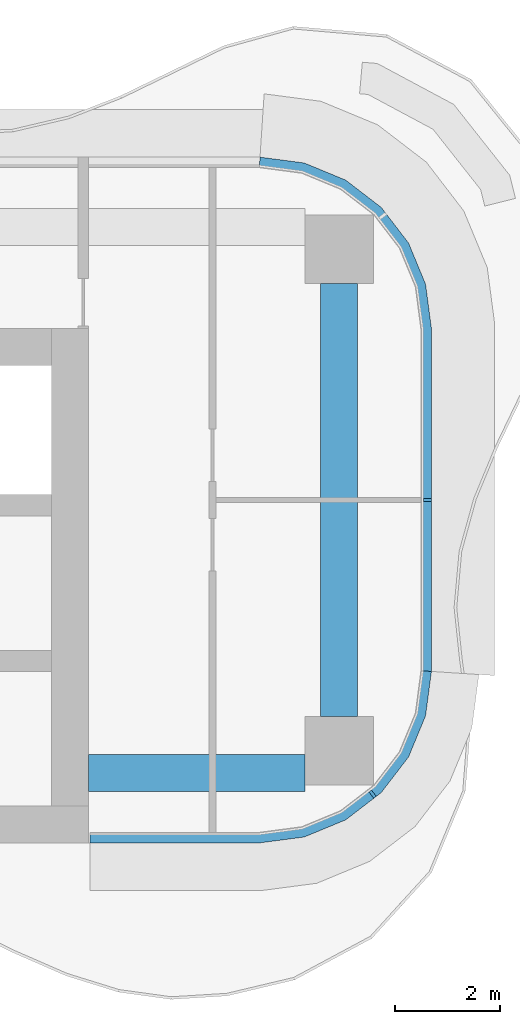
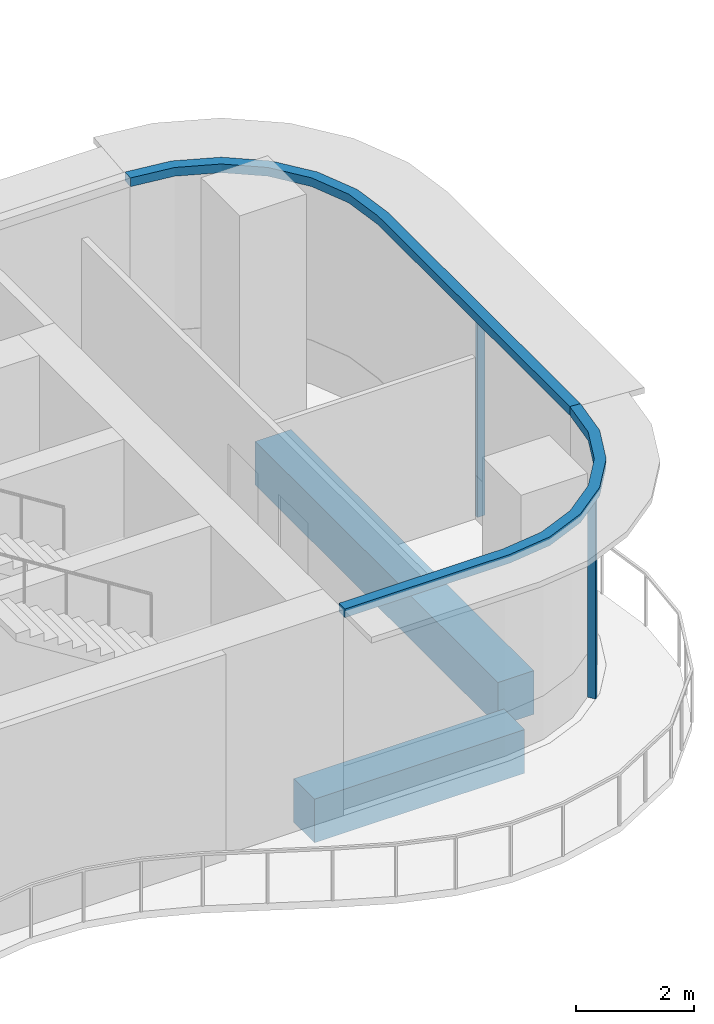
# One storey, part 7 of 21: 4 members, 2 beams, 2 elements without a shape of their own.
"""IFC4 building model written with IfcOpenShell, lengths in metres."""

from ifc_helpers import new_model, si_unit, direction, frame, origin, origin_2d, place, context, subcontext, project, spatial, polyline, rectangle, outline, extrude, source, transform, mapped, material, layer, layer_set, material_profile, profile_set, type_object, element, aggregate, save


model = new_model("IFC4")

# Units and contexts
model_context = context("Model", 3, precision=1e-05, world=origin(), true_north=direction((0.0, 1.0)))
body_context = subcontext(model_context, "Body", "Model", "MODEL_VIEW")
ifc_project = project(units=[si_unit("LENGTHUNIT", "METRE"), si_unit("AREAUNIT", "SQUARE_METRE"), si_unit("VOLUMEUNIT", "CUBIC_METRE"), si_unit("PLANEANGLEUNIT", "RADIAN"), si_unit("MASSUNIT", "GRAM", prefix="KILO")], contexts=[model_context])

# Site, building, storey
site_placement = place(None, origin())
site = spatial("IfcSite", under=ifc_project, at=site_placement, CompositionType="ELEMENT")
building_placement = place(site_placement, origin())
building = spatial("IfcBuilding", under=site, at=building_placement, Name="Trellis Farm Tower", CompositionType="ELEMENT")
storey_placement = place(building_placement, frame((0.0, 0.0, 102.0)))
storey = spatial("IfcBuildingStorey", under=building, at=storey_placement, Name="L21", CompositionType="ELEMENT", Elevation=102.0)

# Beams
ifc_material_1 = material(Name="Concrete C60/75", Category="concrete")
ifc_material_profile_1 = material_profile(ifc_material_1, rectangle(XDim=0.699951171875, YDim=0.89990234375, at=origin_2d()), Name="RC spandrel beam 700x900 C60/75")
ifc_profile_set_1 = profile_set([ifc_material_profile_1], Name="Concrete C60/75")
beam_type = type_object("IfcBeamType", Name="RC spandrel beam 700x900 C60/75", PredefinedType="SPANDREL", material=ifc_profile_set_1)
shared_shape_1 = source(origin(), body_context, "Body", "SweptSolid", [
    extrude(rectangle(XDim=0.699951171875, YDim=0.89990234375, at=origin_2d()), origin(), (0.0, 0.0, 1.0), 8.2001953125),
])
beam_1_placement = place(storey_placement, frame((27.5, -4.10009765625, -0.699951171875), z_axis=(0.0, 1.0, 0.0), x_axis=(-1.0, 0.0, 0.0)))
element("IfcBeam", 1, at=beam_1_placement, inside=storey, type_object=beam_type, Name="Girder", PredefinedType="SPANDREL", context=body_context, shape_type="MappedRepresentation", body=[
    mapped(shared_shape_1, transform((0.0, 0.0, 0.0))),
])
shared_shape_2 = source(origin(), body_context, "Body", "SweptSolid", [
    extrude(rectangle(XDim=0.699951171875, YDim=0.89990234375, at=origin_2d()), origin(), (0.0, 0.0, 1.0), 4.10009765625),
])
beam_2_placement = place(storey_placement, frame((22.75, -5.175048828125, -0.699951171875), z_axis=(1.0, 0.0, 0.0), x_axis=(0.0, 1.0, 0.0)))
element("IfcBeam", 2, at=beam_2_placement, inside=storey, type_object=beam_type, Name="Girder", PredefinedType="SPANDREL", context=body_context, shape_type="MappedRepresentation", body=[
    mapped(shared_shape_2, transform((0.0, 0.0, 0.0))),
])

# Curtain wall, member
ifc_material_2 = material(Name="Aluminium and glass curtain wall", Category="aluminium")
ifc_layer_1 = layer(ifc_material_2, 0.18994140625)
ifc_layer_set_1 = layer_set([ifc_layer_1], Name="RIBBON CURTAIN WALL CW1")
curtain_wall_type = type_object("IfcCurtainWallType", Name="RIBBON CURTAIN WALL CW1", PredefinedType="NOTDEFINED", material=ifc_layer_set_1)
placement_1 = place(storey_placement, origin())
curtain_wall_1 = element("IfcCurtainWall", 3, at=placement_1, inside=storey, type_object=curtain_wall_type, Name="CW1 006", PredefinedType="NOTDEFINED")
ifc_material_3 = material(Name="Aluminium extrusion 6063-T6", Category="aluminium")
ifc_material_profile_2 = material_profile(ifc_material_3, rectangle(XDim=0.06005859375, YDim=0.14990234375, at=origin_2d()), Name="MULLION 60x150")
ifc_profile_set_2 = profile_set([ifc_material_profile_2], Name="Aluminium extrusion 6063-T6")
member_type_1 = type_object("IfcMemberType", Name="CW1 MULLION 60x150", PredefinedType="MULLION", material=ifc_profile_set_2)
shared_shape_3 = source(origin(), body_context, "Body", "SweptSolid", [
    extrude(rectangle(XDim=0.06005859375, YDim=0.14990234375, at=origin_2d()), origin(), (0.0, 0.0, 1.0), 4.070068359375),
])
member_1_placement = place(storey_placement, frame((28.135498046875, -5.578369140625, 0.0), z_axis=(0.0, 0.0, 1.0), x_axis=(0.793353340291, 0.608761429009, 0.0)))
member_1 = element("IfcMember", 4, at=member_1_placement, type_object=member_type_1, Name="MU1 006-01", PredefinedType="MULLION", context=body_context, shape_type="MappedRepresentation", body=[
    mapped(shared_shape_3, transform((0.0, 0.0, 0.0))),
])

curtain_wall_2 = element("IfcCurtainWall", 5, at=placement_1, inside=storey, type_object=curtain_wall_type, Name="CW1 007", PredefinedType="NOTDEFINED")
member_2_placement = place(storey_placement, frame((29.175048828125, 0.0, 0.0), z_axis=(0.0, 0.0, 1.0), x_axis=(0.0, 1.0, 0.0)))
member_2 = element("IfcMember", 6, at=member_2_placement, type_object=member_type_1, Name="MU1 007-01", PredefinedType="MULLION", context=body_context, shape_type="MappedRepresentation", body=[
    mapped(shared_shape_3, transform((0.0, 0.0, 0.0))),
])

# Member
ifc_layer_2 = layer(ifc_material_3, 0.199951171875)
ifc_layer_set_2 = layer_set([ifc_layer_2], Name="Aluminium extrusion 6063-T6")
member_type_2 = type_object("IfcMemberType", Name="CW1 TRANSOM 200x180", PredefinedType="USERDEFINED", material=ifc_layer_set_2)
shared_shape_4 = source(origin(), body_context, "Body", "SweptSolid", [
    extrude(outline(polyline([(22.780029296875, -6.5), (26.0, -6.5), (26.841064453125, -6.38916015625), (27.625, -6.064697265625), (28.298095703125, -5.548095703125), (28.814697265625, -4.875), (29.13916015625, -4.091064453125), (29.25, -3.25), (29.050048828125, -3.23681640625), (28.9443359375, -4.0390625), (28.639892578125, -4.774169921875), (28.155517578125, -5.405517578125), (27.524169921875, -5.889892578125), (26.7890625, -6.1943359375), (25.98681640625, -6.300048828125), (22.780029296875, -6.300048828125), (22.780029296875, -6.5)])), origin(), (0.0, 0.0, 1.0), 0.179931640625),
])
placement_2 = place(storey_placement, frame((0.0, 0.0, 4.070068359375)))
member_3 = element("IfcMember", 7, at=placement_2, type_object=member_type_2, Name="TR1 006", ObjectType="TRANSOM", PredefinedType="USERDEFINED", context=body_context, shape_type="MappedRepresentation", body=[
    mapped(shared_shape_4, transform((0.0, 0.0, 0.0))),
])

aggregate(curtain_wall_1, [member_1, member_3])

shared_shape_5 = source(origin(), body_context, "Body", "SweptSolid", [
    extrude(outline(polyline([(29.25, -3.25), (29.25, 3.25), (29.13916015625, 4.091064453125), (28.814697265625, 4.875), (28.298095703125, 5.548095703125), (27.625, 6.064697265625), (26.841064453125, 6.38916015625), (26.0, 6.5), (25.98681640625, 6.300048828125), (26.7890625, 6.1943359375), (27.524169921875, 5.889892578125), (28.155517578125, 5.405517578125), (28.639892578125, 4.774169921875), (28.9443359375, 4.0390625), (29.050048828125, 3.23681640625), (29.050048828125, -3.23681640625), (29.25, -3.25)])), origin(), (0.0, 0.0, 1.0), 0.179931640625),
])
member_4 = element("IfcMember", 8, at=placement_2, type_object=member_type_2, Name="TR1 007", ObjectType="TRANSOM", PredefinedType="USERDEFINED", context=body_context, shape_type="MappedRepresentation", body=[
    mapped(shared_shape_5, transform((0.0, 0.0, 0.0))),
])

aggregate(curtain_wall_2, [member_2, member_4])

save(model, "model.ifc")
